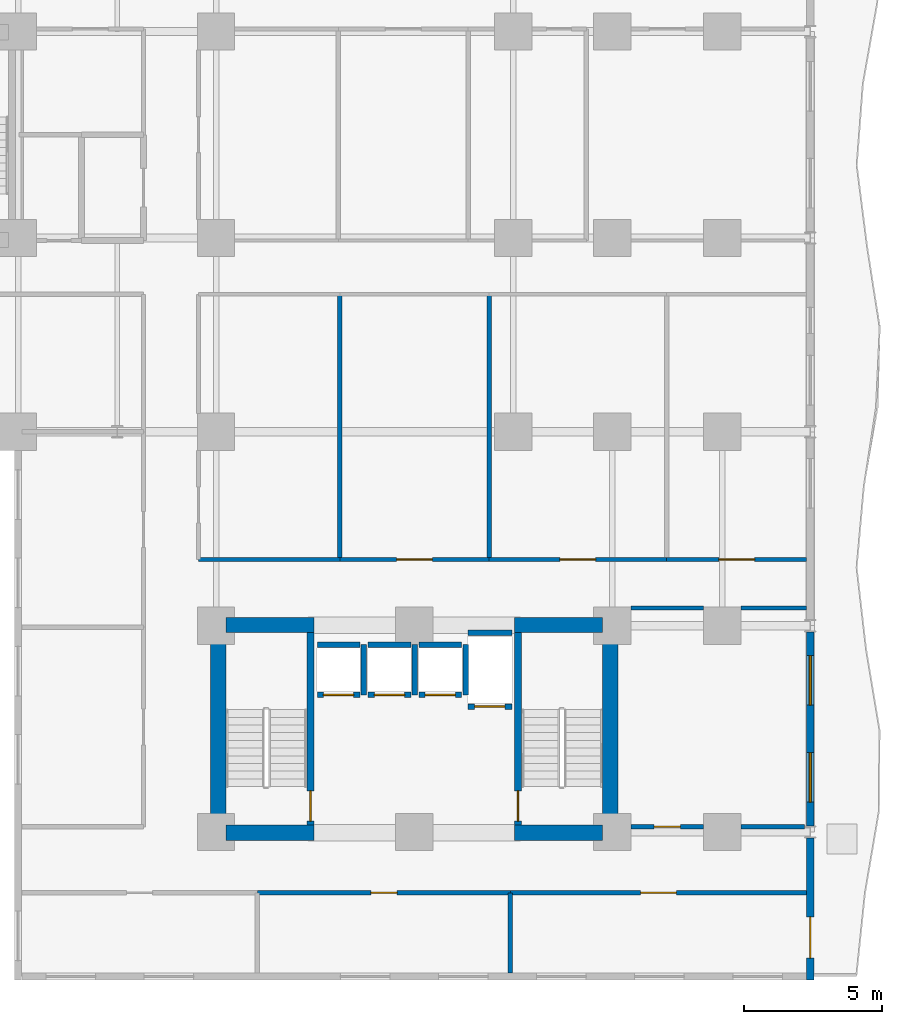
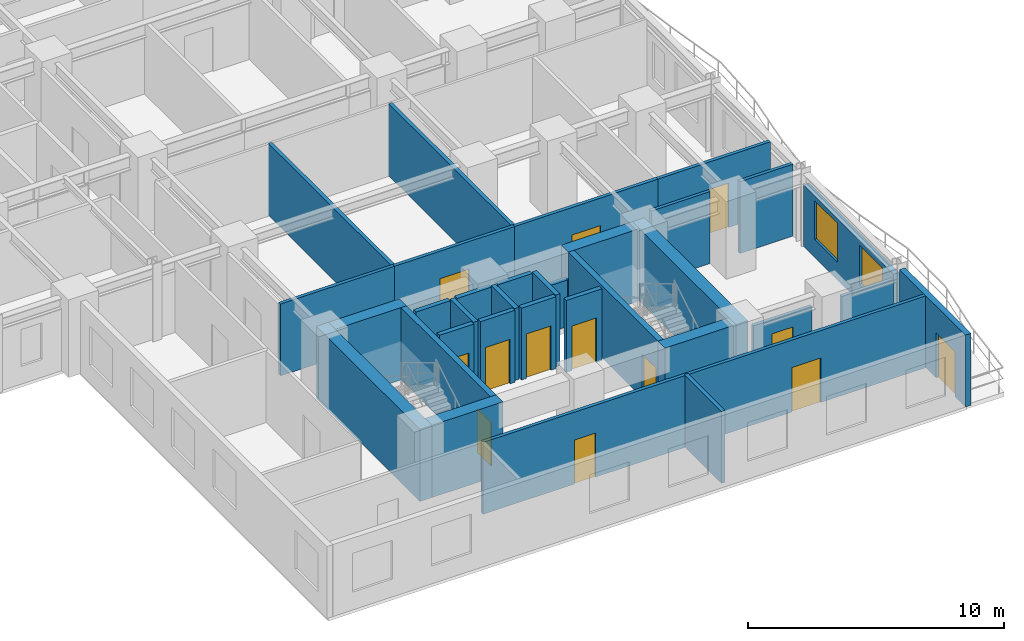
# One storey, part 5 of 11: 34 walls, 13 doors, 2 windows, 15 openings.
"""IFC4 building model written with IfcOpenShell, lengths in metres."""

from ifc_helpers import new_model, si_unit, direction, frame, frame_2d, origin, place, context, subcontext, project, spatial, rectangle, extrude, material, layer, layer_set, type_object, element, fill, save


model = new_model("IFC4")

# Units and contexts
model_context = context("Model", 3, precision=1e-05, world=origin(), true_north=direction((0.0, 1.0)))
body_context = subcontext(model_context, "Body", "Model", "MODEL_VIEW")
ifc_project = project(units=[si_unit("LENGTHUNIT", "METRE"), si_unit("AREAUNIT", "SQUARE_METRE"), si_unit("VOLUMEUNIT", "CUBIC_METRE"), si_unit("PLANEANGLEUNIT", "RADIAN"), si_unit("MASSUNIT", "GRAM", prefix="KILO")], contexts=[model_context])

# Site, building, storey
site_placement = place(None, origin())
site = spatial("IfcSite", under=ifc_project, at=site_placement, CompositionType="ELEMENT")
building_placement = place(site_placement, origin())
building = spatial("IfcBuilding", under=site, at=building_placement, Name="Kaliganga Portal Commons", CompositionType="ELEMENT")
storey_placement = place(building_placement, frame((0.0, 0.0, 40.10009765625)))
storey = spatial("IfcBuildingStorey", under=building, at=storey_placement, Name="L09", CompositionType="ELEMENT", Elevation=40.10009765625)

# Walls
ifc_material_1 = material(Name="Concrete C60/75", Category="concrete")
ifc_layer_1 = layer(ifc_material_1, 0.550048828125)
ifc_layer_set_1 = layer_set([ifc_layer_1], Name="Concrete C60/75")
wall_type_1 = type_object("IfcWallType", Name="WL-CORE-550", PredefinedType="SHEAR", material=ifc_layer_set_1)
for number, where, z_axis, x_axis, name in (
    (1, (36.074951171875, 6.75, 0.0), (0.0, 0.0, 1.0), (0.0, 1.0, 0.0), "Core B West Shear Wall L09"),
    (2, (50.324951171875, 6.75, 0.0), (0.0, 0.0, 1.0), (0.0, 1.0, 0.0), "Core B East Shear Wall L09"),
):
    element("IfcWall", number, at=place(storey_placement, frame(where, z_axis=z_axis, x_axis=x_axis)), inside=storey, type_object=wall_type_1, Name=name, PredefinedType="SHEAR", context=body_context, shape_type="SweptSolid", body=[
        extrude(rectangle(XDim=8.10009765625, YDim=0.550048828125, at=frame_2d((4.050048828125, 0.0))), origin(), (0.0, 0.0, 1.0), 3.449951171875),
    ])
for number, where, z_axis, x_axis, name in (
    (3, (36.35009765625, 7.02490234375, 0.0), (0.0, 0.0, 1.0), (1.0, 0.0, 0.0), "Core B S-West Shear Wall L09"),
    (4, (46.85009765625, 7.02490234375, 0.0), (0.0, 0.0, 1.0), (1.0, 0.0, 0.0), "Core B S-East Shear Wall L09"),
    (5, (36.35009765625, 14.574951171875, 0.0), (0.0, 0.0, 1.0), (1.0, 0.0, 0.0), "Core B N-West Shear Wall L09"),
    (6, (46.85009765625, 14.574951171875, 0.0), (0.0, 0.0, 1.0), (1.0, 0.0, 0.0), "Core B N-East Shear Wall L09"),
):
    element("IfcWall", number, at=place(storey_placement, frame(where, z_axis=z_axis, x_axis=x_axis)), inside=storey, type_object=wall_type_1, Name=name, PredefinedType="SHEAR", context=body_context, shape_type="SweptSolid", body=[
        extrude(rectangle(XDim=3.199951171875, YDim=0.550048828125, at=frame_2d((1.60009765625, 0.0))), origin(), (0.0, 0.0, 1.0), 3.449951171875),
    ])

# Wall, opening, door
ifc_material_2 = material(Name="Insulated Aluminium-Clad Spandrel Assembly", Category="aluminium")
ifc_layer_2 = layer(ifc_material_2, 0.260009765625)
ifc_layer_set_2 = layer_set([ifc_layer_2], Name="Insulated Aluminium-Clad Spandrel Assembly")
wall_type_2 = type_object("IfcWallType", Name="WL-EXT-SPAND-260", PredefinedType="STANDARD", material=ifc_layer_set_2)
wall_1_placement = place(storey_placement, frame((57.60009765625, 6.825927734375, 0.0), z_axis=(0.0, 0.0, 1.0), x_axis=(0.0, -1.0, 0.0)))
wall_1 = element("IfcWall", 7, at=wall_1_placement, inside=storey, type_object=wall_type_2, Name="Exterior Envelope Wall L09 P1-E01-S1", PredefinedType="STANDARD", context=body_context, shape_type="SweptSolid", body=[
    extrude(rectangle(XDim=5.156005859375, YDim=0.260009765625, at=frame_2d((2.578125, 0.0))), origin(), (0.0, 0.0, 1.0), 3.429931640625),
])
opening_1_placement = place(wall_1_placement, frame((2.85888671875, 0.0, 0.0)))
opening_1 = element("IfcOpeningElement", 8, at=opening_1_placement, cuts=wall_1, Name="Opening BD-01", PredefinedType="OPENING", context=body_context, shape_type="SweptSolid", body=[
    extrude(rectangle(XDim=1.5, YDim=2.14990234375, at=frame_2d((0.75, 1.074951171875))), frame((0.0, 0.14013671875, 0.0), z_axis=(0.0, -1.0, 0.0), x_axis=(1.0, 0.0, 0.0)), (0.0, 0.0, 1.0), 0.280029296875),
])
ifc_material_3 = material(Name="Anodized Aluminium and Laminated Safety Glass", Category="aluminium")
door_type_1 = type_object("IfcDoorType", Name="DR-BALC-1500", OperationType="SLIDING_TO_LEFT", PredefinedType="DOOR", material=ifc_material_3)
door_1_placement = place(opening_1_placement, origin())
door_1 = element("IfcDoor", 9, at=door_1_placement, inside=storey, type_object=door_type_1, Name="Balcony Sliding Door L09 balc_east", OperationType="SLIDING_TO_LEFT", OverallHeight=2.14990234375, OverallWidth=1.5, PredefinedType="DOOR", context=body_context, shape_type="SweptSolid", body=[
    extrude(rectangle(XDim=1.5, YDim=2.14990234375, at=frame_2d((0.75, 1.074951171875))), frame((0.0, 0.02490234375, 0.0), z_axis=(0.0, -1.0, 0.0), x_axis=(1.0, 0.0, 0.0)), (0.0, 0.0, 1.0), 0.050048828125),
])
fill(opening_1, door_1)

# Wall, openings, windows
wall_2_placement = place(storey_placement, frame((57.60009765625, 14.325927734375, 0.0), z_axis=(0.0, 0.0, 1.0), x_axis=(0.0, -1.0, 0.0)))
wall_2 = element("IfcWall", 10, at=wall_2_placement, inside=storey, type_object=wall_type_2, Name="Exterior Envelope Wall L09 P1-E01-S2", PredefinedType="STANDARD", context=body_context, shape_type="SweptSolid", body=[
    extrude(rectangle(XDim=7.052001953125, YDim=0.260009765625, at=frame_2d((3.52587890625, 0.0))), origin(), (0.0, 0.0, 1.0), 2.929931640625),
])
opening_2_placement = place(wall_2_placement, frame((0.863037109375, 0.0, 0.85009765625)))
opening_2 = element("IfcOpeningElement", 11, at=opening_2_placement, cuts=wall_2, Name="Opening W-01", PredefinedType="OPENING", context=body_context, shape_type="SweptSolid", body=[
    extrude(rectangle(XDim=1.800048828125, YDim=1.85009765625, at=frame_2d((0.89990234375, 0.925048828125))), frame((0.0, 0.14013671875, 0.0), z_axis=(0.0, -1.0, 0.0), x_axis=(1.0, 0.0, 0.0)), (0.0, 0.0, 1.0), 0.280029296875),
])
opening_3_placement = place(wall_2_placement, frame((4.388916015625, 0.0, 0.85009765625)))
opening_3 = element("IfcOpeningElement", 12, at=opening_3_placement, cuts=wall_2, Name="Opening W-01", PredefinedType="OPENING", context=body_context, shape_type="SweptSolid", body=[
    extrude(rectangle(XDim=1.800048828125, YDim=1.85009765625, at=frame_2d((0.89990234375, 0.925048828125))), frame((0.0, 0.14013671875, 0.0), z_axis=(0.0, -1.0, 0.0), x_axis=(1.0, 0.0, 0.0)), (0.0, 0.0, 1.0), 0.280029296875),
])
ifc_material_4 = material(Name="Thermally Broken Aluminium and Low-E Double Glazing", Category="aluminium")
window_type = type_object("IfcWindowType", Name="WIN-STD-1800", PartitioningType="DOUBLE_PANEL_VERTICAL", PredefinedType="WINDOW", material=ifc_material_4)
window_1_placement = place(opening_2_placement, origin())
window_1 = element("IfcWindow", 13, at=window_1_placement, inside=storey, type_object=window_type, Name="Facade Window L09-P1E01S2-00", OverallHeight=1.85009765625, OverallWidth=1.800048828125, PartitioningType="SINGLE_PANEL", PredefinedType="WINDOW", context=body_context, shape_type="SweptSolid", body=[
    extrude(rectangle(XDim=1.800048828125, YDim=1.85009765625, at=frame_2d((0.89990234375, 0.925048828125))), frame((0.0, 0.030029296875, 0.0), z_axis=(0.0, -1.0, 0.0), x_axis=(1.0, 0.0, 0.0)), (0.0, 0.0, 1.0), 0.06005859375),
])
fill(opening_2, window_1)
window_2_placement = place(opening_3_placement, origin())
window_2 = element("IfcWindow", 14, at=window_2_placement, inside=storey, type_object=window_type, Name="Facade Window L09-P1E01S2-01", OverallHeight=1.85009765625, OverallWidth=1.800048828125, PartitioningType="SINGLE_PANEL", PredefinedType="WINDOW", context=body_context, shape_type="SweptSolid", body=[
    extrude(rectangle(XDim=1.800048828125, YDim=1.85009765625, at=frame_2d((0.89990234375, 0.925048828125))), frame((0.0, 0.030029296875, 0.0), z_axis=(0.0, -1.0, 0.0), x_axis=(1.0, 0.0, 0.0)), (0.0, 0.0, 1.0), 0.06005859375),
])
fill(opening_3, window_2)

# Wall, opening, door
ifc_material_5 = material(Name="Fire-Rated Gypsum Board on Steel Stud", Category="steel")
ifc_layer_3 = layer(ifc_material_5, 0.14990234375)
ifc_layer_set_3 = layer_set([ifc_layer_3], Name="Fire-Rated Gypsum Board on Steel Stud")
wall_type_3 = type_object("IfcWallType", Name="WL-PART-CORR-150", PredefinedType="PARTITIONING", material=ifc_layer_set_3)
wall_3_placement = place(storey_placement, frame((46.699951171875, 4.840087890625, 0.0), z_axis=(0.0, 0.0, 1.0), x_axis=(1.0, 0.0, 0.0)))
wall_3 = element("IfcWall", 15, at=wall_3_placement, inside=storey, type_object=wall_type_3, Name="Interior Partition L09-008", PredefinedType="PARTITIONING", context=body_context, shape_type="SweptSolid", body=[
    extrude(rectangle(XDim=10.76806640625, YDim=0.14990234375, at=frame_2d((5.384033203125, 0.0))), origin(), (0.0, 0.0, 1.0), 3.429931640625),
])
opening_4_placement = place(wall_3_placement, frame((4.73388671875, 0.0, 0.0)))
opening_4 = element("IfcOpeningElement", 16, at=opening_4_placement, cuts=wall_3, Name="Opening RD-03", PredefinedType="OPENING", context=body_context, shape_type="SweptSolid", body=[
    extrude(rectangle(XDim=1.300048828125, YDim=2.1201171875, at=frame_2d((0.64990234375, 1.06005859375))), frame((0.0, 0.0849609375, 0.0), z_axis=(0.0, -1.0, 0.0), x_axis=(1.0, 0.0, 0.0)), (0.0, 0.0, 1.0), 0.169921875),
])
ifc_material_6 = material(Name="Glazed Timber Seminar Vision Door", Category="wood")
door_type_2 = type_object("IfcDoorType", Name="DR-STUDY-1300", OperationType="DOUBLE_DOOR_SINGLE_SWING", PredefinedType="DOOR", material=ifc_material_6)
door_2_placement = place(opening_4_placement, origin())
door_2 = element("IfcDoor", 17, at=door_2_placement, inside=storey, type_object=door_type_2, Name="Interior Door L09-BS03", OperationType="DOUBLE_DOOR_SINGLE_SWING", OverallHeight=2.1201171875, OverallWidth=1.300048828125, PredefinedType="DOOR", context=body_context, shape_type="SweptSolid", body=[
    extrude(rectangle(XDim=1.300048828125, YDim=2.1201171875, at=frame_2d((0.64990234375, 1.06005859375))), frame((0.0, 0.02490234375, 0.0), z_axis=(0.0, -1.0, 0.0), x_axis=(1.0, 0.0, 0.0)), (0.0, 0.0, 1.0), 0.050048828125),
])
fill(opening_4, door_2)

wall_4_placement = place(storey_placement, frame((37.5, 4.840087890625, 0.0), z_axis=(0.0, 0.0, 1.0), x_axis=(1.0, 0.0, 0.0)))
wall_4 = element("IfcWall", 18, at=wall_4_placement, inside=storey, type_object=wall_type_3, Name="Interior Partition L09-012", PredefinedType="PARTITIONING", context=body_context, shape_type="SweptSolid", body=[
    extrude(rectangle(XDim=9.199951171875, YDim=0.14990234375, at=frame_2d((4.60009765625, 0.0))), origin(), (0.0, 0.0, 1.0), 3.429931640625),
])
opening_5_placement = place(wall_4_placement, frame((4.125, 0.0, 0.0)))
opening_5 = element("IfcOpeningElement", 19, at=opening_5_placement, cuts=wall_4, Name="Opening UD-01", PredefinedType="OPENING", context=body_context, shape_type="SweptSolid", body=[
    extrude(rectangle(XDim=0.949951171875, YDim=2.10009765625, at=frame_2d((0.47509765625, 1.050048828125))), frame((0.0, 0.0849609375, 0.0), z_axis=(0.0, -1.0, 0.0), x_axis=(1.0, 0.0, 0.0)), (0.0, 0.0, 1.0), 0.169921875),
])
ifc_material_7 = material(Name="Solid-Core Timber Acoustic Fire Door", Category="wood")
door_type_3 = type_object("IfcDoorType", Name="DR-UNIT-950", OperationType="NOTDEFINED", PredefinedType="DOOR", material=ifc_material_7)
door_3_placement = place(opening_5_placement, origin())
door_3 = element("IfcDoor", 20, at=door_3_placement, inside=storey, type_object=door_type_3, Name="Interior Door L09-BS02", OperationType="SINGLE_SWING_RIGHT", OverallHeight=2.10009765625, OverallWidth=0.949951171875, PredefinedType="DOOR", context=body_context, shape_type="SweptSolid", body=[
    extrude(rectangle(XDim=0.949951171875, YDim=2.10009765625, at=frame_2d((0.47509765625, 1.050048828125))), frame((0.0, 0.02490234375, 0.0), z_axis=(0.0, -1.0, 0.0), x_axis=(1.0, 0.0, 0.0)), (0.0, 0.0, 1.0), 0.050048828125),
])
fill(opening_5, door_3)

wall_5_placement = place(storey_placement, frame((51.074951171875, 7.239990234375, 0.0), z_axis=(0.0, 0.0, 1.0), x_axis=(1.0, 0.0, 0.0)))
wall_5 = element("IfcWall", 21, at=wall_5_placement, inside=storey, type_object=wall_type_3, Name="Interior Partition L09-021", PredefinedType="PARTITIONING", context=body_context, shape_type="SweptSolid", body=[
    extrude(rectangle(XDim=2.650146484375, YDim=0.14990234375, at=frame_2d((1.3251953125, 0.0))), origin(), (0.0, 0.0, 1.0), 2.77978515625),
])
opening_6_placement = place(wall_5_placement, frame((0.85009765625, 0.0, 0.0)))
opening_6 = element("IfcOpeningElement", 22, at=opening_6_placement, cuts=wall_5, Name="Opening UD-01", PredefinedType="OPENING", context=body_context, shape_type="SweptSolid", body=[
    extrude(rectangle(XDim=0.949951171875, YDim=2.10009765625, at=frame_2d((0.47509765625, 1.050048828125))), frame((0.0, 0.0849609375, 0.0), z_axis=(0.0, -1.0, 0.0), x_axis=(1.0, 0.0, 0.0)), (0.0, 0.0, 1.0), 0.169921875),
])
door_4_placement = place(opening_6_placement, origin())
door_4 = element("IfcDoor", 23, at=door_4_placement, inside=storey, type_object=door_type_3, Name="Interior Door L09-BE01", OperationType="SINGLE_SWING_RIGHT", OverallHeight=2.10009765625, OverallWidth=0.949951171875, PredefinedType="DOOR", context=body_context, shape_type="SweptSolid", body=[
    extrude(rectangle(XDim=0.949951171875, YDim=2.10009765625, at=frame_2d((0.47509765625, 1.050048828125))), frame((0.0, 0.02490234375, 0.0), z_axis=(0.0, -1.0, 0.0), x_axis=(1.0, 0.0, 0.0)), (0.0, 0.0, 1.0), 0.050048828125),
])
fill(opening_6, door_4)

# Walls
wall_6_placement = place(storey_placement, frame((55.074951171875, 7.239990234375, 0.0), z_axis=(0.0, 0.0, 1.0), x_axis=(1.0, 0.0, 0.0)))
element("IfcWall", 24, at=wall_6_placement, inside=storey, type_object=wall_type_3, Name="Interior Partition L09-022", PredefinedType="PARTITIONING", context=body_context, shape_type="SweptSolid", body=[
    extrude(rectangle(XDim=2.317138671875, YDim=0.14990234375, at=frame_2d((1.15869140625, 0.0))), origin(), (0.0, 0.0, 1.0), 2.77978515625),
])
wall_7_placement = place(storey_placement, frame((51.074951171875, 15.199951171875, 0.0), z_axis=(0.0, 0.0, 1.0), x_axis=(1.0, 0.0, 0.0)))
element("IfcWall", 25, at=wall_7_placement, inside=storey, type_object=wall_type_3, Name="Interior Partition L09-023", PredefinedType="PARTITIONING", context=body_context, shape_type="SweptSolid", body=[
    extrude(rectangle(XDim=2.650146484375, YDim=0.14990234375, at=frame_2d((1.3251953125, 0.0))), origin(), (0.0, 0.0, 1.0), 3.429931640625),
])
wall_8_placement = place(storey_placement, frame((55.074951171875, 15.199951171875, 0.0), z_axis=(0.0, 0.0, 1.0), x_axis=(1.0, 0.0, 0.0)))
element("IfcWall", 26, at=wall_8_placement, inside=storey, type_object=wall_type_3, Name="Interior Partition L09-024", PredefinedType="PARTITIONING", context=body_context, shape_type="SweptSolid", body=[
    extrude(rectangle(XDim=2.39306640625, YDim=0.14990234375, at=frame_2d((1.196533203125, 0.0))), origin(), (0.0, 0.0, 1.0), 3.429931640625),
])

# Wall, opening, door
wall_9_placement = place(storey_placement, frame((45.919921875, 16.9599609375, 0.0), z_axis=(0.0, 0.0, 1.0), x_axis=(1.0, 0.0, 0.0)))
wall_9 = element("IfcWall", 27, at=wall_9_placement, inside=storey, type_object=wall_type_3, Name="Interior Partition L09-027", PredefinedType="PARTITIONING", context=body_context, shape_type="SweptSolid", body=[
    extrude(rectangle(XDim=6.4599609375, YDim=0.14990234375, at=frame_2d((3.22998046875, 0.0))), origin(), (0.0, 0.0, 1.0), 3.429931640625),
])
opening_7_placement = place(wall_9_placement, frame((2.580078125, 0.0, 0.0)))
opening_7 = element("IfcOpeningElement", 28, at=opening_7_placement, cuts=wall_9, Name="Opening RD-03", PredefinedType="OPENING", context=body_context, shape_type="SweptSolid", body=[
    extrude(rectangle(XDim=1.300048828125, YDim=2.1201171875, at=frame_2d((0.64990234375, 1.06005859375))), frame((0.0, 0.0849609375, 0.0), z_axis=(0.0, -1.0, 0.0), x_axis=(1.0, 0.0, 0.0)), (0.0, 0.0, 1.0), 0.169921875),
])
door_5_placement = place(opening_7_placement, origin())
door_5 = element("IfcDoor", 29, at=door_5_placement, inside=storey, type_object=door_type_2, Name="Interior Door L09-BM03", OperationType="DOUBLE_DOOR_SINGLE_SWING", OverallHeight=2.1201171875, OverallWidth=1.300048828125, PredefinedType="DOOR", context=body_context, shape_type="SweptSolid", body=[
    extrude(rectangle(XDim=1.300048828125, YDim=2.1201171875, at=frame_2d((0.64990234375, 1.06005859375))), frame((0.0, 0.02490234375, 0.0), z_axis=(0.0, -1.0, 0.0), x_axis=(1.0, 0.0, 0.0)), (0.0, 0.0, 1.0), 0.050048828125),
])
fill(opening_7, door_5)

wall_10_placement = place(storey_placement, frame((40.5, 16.9599609375, 0.0), z_axis=(0.0, 0.0, 1.0), x_axis=(1.0, 0.0, 0.0)))
wall_10 = element("IfcWall", 30, at=wall_10_placement, inside=storey, type_object=wall_type_3, Name="Interior Partition L09-029", PredefinedType="PARTITIONING", context=body_context, shape_type="SweptSolid", body=[
    extrude(rectangle(XDim=5.419921875, YDim=0.14990234375, at=frame_2d((2.7099609375, 0.0))), origin(), (0.0, 0.0, 1.0), 3.429931640625),
])
opening_8_placement = place(wall_10_placement, frame((2.06005859375, 0.0, 0.0)))
opening_8 = element("IfcOpeningElement", 31, at=opening_8_placement, cuts=wall_10, Name="Opening RD-03", PredefinedType="OPENING", context=body_context, shape_type="SweptSolid", body=[
    extrude(rectangle(XDim=1.300048828125, YDim=2.1201171875, at=frame_2d((0.64990234375, 1.06005859375))), frame((0.0, 0.0849609375, 0.0), z_axis=(0.0, -1.0, 0.0), x_axis=(1.0, 0.0, 0.0)), (0.0, 0.0, 1.0), 0.169921875),
])
door_6_placement = place(opening_8_placement, origin())
door_6 = element("IfcDoor", 32, at=door_6_placement, inside=storey, type_object=door_type_2, Name="Interior Door L09-BM02", OperationType="DOUBLE_DOOR_SINGLE_SWING", OverallHeight=2.1201171875, OverallWidth=1.300048828125, PredefinedType="DOOR", context=body_context, shape_type="SweptSolid", body=[
    extrude(rectangle(XDim=1.300048828125, YDim=2.1201171875, at=frame_2d((0.64990234375, 1.06005859375))), frame((0.0, 0.02490234375, 0.0), z_axis=(0.0, -1.0, 0.0), x_axis=(1.0, 0.0, 0.0)), (0.0, 0.0, 1.0), 0.050048828125),
])
fill(opening_8, door_6)

wall_11_placement = place(storey_placement, frame((52.3798828125, 16.9599609375, 0.0), z_axis=(0.0, 0.0, 1.0), x_axis=(1.0, 0.0, 0.0)))
wall_11 = element("IfcWall", 33, at=wall_11_placement, inside=storey, type_object=wall_type_3, Name="Interior Partition L09-030", PredefinedType="PARTITIONING", context=body_context, shape_type="SweptSolid", body=[
    extrude(rectangle(XDim=5.088134765625, YDim=0.14990234375, at=frame_2d((2.5439453125, 0.0))), origin(), (0.0, 0.0, 1.0), 3.429931640625),
])
opening_9_placement = place(wall_11_placement, frame((1.89404296875, 0.0, 0.0)))
opening_9 = element("IfcOpeningElement", 34, at=opening_9_placement, cuts=wall_11, Name="Opening RD-03", PredefinedType="OPENING", context=body_context, shape_type="SweptSolid", body=[
    extrude(rectangle(XDim=1.300048828125, YDim=2.1201171875, at=frame_2d((0.64990234375, 1.06005859375))), frame((0.0, 0.0849609375, 0.0), z_axis=(0.0, -1.0, 0.0), x_axis=(1.0, 0.0, 0.0)), (0.0, 0.0, 1.0), 0.169921875),
])
door_7_placement = place(opening_9_placement, origin())
door_7 = element("IfcDoor", 35, at=door_7_placement, inside=storey, type_object=door_type_2, Name="Interior Door L09-BM04", OperationType="DOUBLE_DOOR_SINGLE_SWING", OverallHeight=2.1201171875, OverallWidth=1.300048828125, PredefinedType="DOOR", context=body_context, shape_type="SweptSolid", body=[
    extrude(rectangle(XDim=1.300048828125, YDim=2.1201171875, at=frame_2d((0.64990234375, 1.06005859375))), frame((0.0, 0.02490234375, 0.0), z_axis=(0.0, -1.0, 0.0), x_axis=(1.0, 0.0, 0.0)), (0.0, 0.0, 1.0), 0.050048828125),
])
fill(opening_9, door_7)

# Walls
wall_12_placement = place(storey_placement, frame((35.360107421875, 16.9599609375, 0.0), z_axis=(0.0, 0.0, 1.0), x_axis=(1.0, 0.0, 0.0)))
element("IfcWall", 36, at=wall_12_placement, inside=storey, type_object=wall_type_3, Name="Interior Partition L09-032", PredefinedType="PARTITIONING", context=body_context, shape_type="SweptSolid", body=[
    extrude(rectangle(XDim=5.139892578125, YDim=0.14990234375, at=frame_2d((2.56982421875, 0.0))), origin(), (0.0, 0.0, 1.0), 3.429931640625),
])
ifc_material_8 = material(Name="Twin-Stud Acoustic Gypsum Partition", Category="gypsum")
ifc_layer_4 = layer(ifc_material_8, 0.1650390625)
ifc_layer_set_4 = layer_set([ifc_layer_4], Name="Twin-Stud Acoustic Gypsum Partition")
wall_type_4 = type_object("IfcWallType", Name="WL-PART-UNIT-165", PredefinedType="PARTITIONING", material=ifc_layer_set_4)
for number, where, z_axis, x_axis, name in (
    (37, (40.5, 16.9599609375, 0.0), (0.0, 0.0, 1.0), (0.0, 1.0, 0.0), "Interior Partition L09-059"),
    (38, (45.919921875, 16.9599609375, 0.0), (0.0, 0.0, 1.0), (0.0, 1.0, 0.0), "Interior Partition L09-060"),
):
    element("IfcWall", number, at=place(storey_placement, frame(where, z_axis=z_axis, x_axis=x_axis)), inside=storey, type_object=wall_type_4, Name=name, PredefinedType="PARTITIONING", context=body_context, shape_type="SweptSolid", body=[
        extrude(rectangle(XDim=9.64013671875, YDim=0.1650390625, at=frame_2d((4.820068359375, 0.0))), origin(), (0.0, 0.0, 1.0), 3.429931640625),
    ])
wall_13_placement = place(storey_placement, frame((46.699951171875, 1.931884765625, 0.0), z_axis=(0.0, 0.0, 1.0), x_axis=(0.0, 1.0, 0.0)))
element("IfcWall", 39, at=wall_13_placement, inside=storey, type_object=wall_type_4, Name="Interior Partition L09-091", PredefinedType="PARTITIONING", context=body_context, shape_type="SweptSolid", body=[
    extrude(rectangle(XDim=2.908203125, YDim=0.1650390625, at=frame_2d((1.4541015625, 0.0))), origin(), (0.0, 0.0, 1.0), 3.429931640625),
])

# Wall, opening, door
ifc_material_9 = material(Name="Fire-Rated Shaftwall Masonry Assembly", Category="masonry")
ifc_layer_5 = layer(ifc_material_9, 0.199951171875)
ifc_layer_set_5 = layer_set([ifc_layer_5], Name="Fire-Rated Shaftwall Masonry Assembly")
wall_type_5 = type_object("IfcWallType", Name="WL-SHAFT-200", PredefinedType="PARTITIONING", material=ifc_layer_set_5)
wall_14_placement = place(storey_placement, frame((39.675048828125, 12.034912109375, 0.0), z_axis=(0.0, 0.0, 1.0), x_axis=(1.0, 0.0, 0.0)))
wall_14 = element("IfcWall", 40, at=wall_14_placement, inside=storey, type_object=wall_type_5, Name="Lift PL-B1 Hoistway Shaft Wall L09-S", PredefinedType="PARTITIONING", context=body_context, shape_type="SweptSolid", body=[
    extrude(rectangle(XDim=1.550048828125, YDim=0.199951171875, at=frame_2d((0.77490234375, 0.0))), origin(), (0.0, 0.0, 1.0), 3.429931640625),
])
opening_10_placement = place(wall_14_placement, frame((0.22509765625, 0.0, 0.0)))
opening_10 = element("IfcOpeningElement", 41, at=opening_10_placement, cuts=wall_14, Name="Opening LD-01", PredefinedType="OPENING", context=body_context, shape_type="SweptSolid", body=[
    extrude(rectangle(XDim=1.10009765625, YDim=2.1201171875, at=frame_2d((0.550048828125, 1.06005859375))), frame((0.0, 0.10986328125, 0.0), z_axis=(0.0, -1.0, 0.0), x_axis=(1.0, 0.0, 0.0)), (0.0, 0.0, 1.0), 0.219970703125),
])
ifc_material_10 = material(Name="Brushed Stainless Steel 316 Lift Landing Door", Category="steel")
door_type_4 = type_object("IfcDoorType", Name="DR-LIFT-1100", OperationType="SLIDING_TO_LEFT", PredefinedType="DOOR", material=ifc_material_10)
door_8_placement = place(opening_10_placement, origin())
door_8 = element("IfcDoor", 42, at=door_8_placement, inside=storey, type_object=door_type_4, Name="Lift PL-B1 Sliding Landing Door L09", OperationType="SLIDING_TO_LEFT", OverallHeight=2.1201171875, OverallWidth=1.10009765625, PredefinedType="DOOR", context=body_context, shape_type="SweptSolid", body=[
    extrude(rectangle(XDim=1.10009765625, YDim=2.1201171875, at=frame_2d((0.550048828125, 1.06005859375))), frame((0.0, 0.02490234375, 0.0), z_axis=(0.0, -1.0, 0.0), x_axis=(1.0, 0.0, 0.0)), (0.0, 0.0, 1.0), 0.050048828125),
])
fill(opening_10, door_8)

# Walls
wall_15_placement = place(storey_placement, frame((39.675048828125, 13.864990234375, 0.0), z_axis=(0.0, 0.0, 1.0), x_axis=(1.0, 0.0, 0.0)))
element("IfcWall", 43, at=wall_15_placement, inside=storey, type_object=wall_type_5, Name="Lift PL-B1 Hoistway Shaft Wall L09-N", PredefinedType="PARTITIONING", context=body_context, shape_type="SweptSolid", body=[
    extrude(rectangle(XDim=1.550048828125, YDim=0.199951171875, at=frame_2d((0.77490234375, 0.0))), origin(), (0.0, 0.0, 1.0), 3.429931640625),
])
wall_16_placement = place(storey_placement, frame((41.364990234375, 12.034912109375, 0.0), z_axis=(0.0, 0.0, 1.0), x_axis=(0.0, 1.0, 0.0)))
element("IfcWall", 44, at=wall_16_placement, inside=storey, type_object=wall_type_5, Name="Lift PL-B1 Hoistway Shaft Wall L09-E", PredefinedType="PARTITIONING", context=body_context, shape_type="SweptSolid", body=[
    extrude(rectangle(XDim=1.830078125, YDim=0.199951171875, at=frame_2d((0.9150390625, 0.0))), origin(), (0.0, 0.0, 1.0), 3.429931640625),
])

# Wall, opening, door
wall_17_placement = place(storey_placement, frame((41.52490234375, 12.034912109375, 0.0), z_axis=(0.0, 0.0, 1.0), x_axis=(1.0, 0.0, 0.0)))
wall_17 = element("IfcWall", 45, at=wall_17_placement, inside=storey, type_object=wall_type_5, Name="Lift PL-B2 Hoistway Shaft Wall L09-S", PredefinedType="PARTITIONING", context=body_context, shape_type="SweptSolid", body=[
    extrude(rectangle(XDim=1.550048828125, YDim=0.199951171875, at=frame_2d((0.77490234375, 0.0))), origin(), (0.0, 0.0, 1.0), 3.429931640625),
])
opening_11_placement = place(wall_17_placement, frame((0.22509765625, 0.0, 0.0)))
opening_11 = element("IfcOpeningElement", 46, at=opening_11_placement, cuts=wall_17, Name="Opening LD-01", PredefinedType="OPENING", context=body_context, shape_type="SweptSolid", body=[
    extrude(rectangle(XDim=1.10009765625, YDim=2.1201171875, at=frame_2d((0.550048828125, 1.06005859375))), frame((0.0, 0.10986328125, 0.0), z_axis=(0.0, -1.0, 0.0), x_axis=(1.0, 0.0, 0.0)), (0.0, 0.0, 1.0), 0.219970703125),
])
door_9_placement = place(opening_11_placement, origin())
door_9 = element("IfcDoor", 47, at=door_9_placement, inside=storey, type_object=door_type_4, Name="Lift PL-B2 Sliding Landing Door L09", OperationType="SLIDING_TO_LEFT", OverallHeight=2.1201171875, OverallWidth=1.10009765625, PredefinedType="DOOR", context=body_context, shape_type="SweptSolid", body=[
    extrude(rectangle(XDim=1.10009765625, YDim=2.1201171875, at=frame_2d((0.550048828125, 1.06005859375))), frame((0.0, 0.02490234375, 0.0), z_axis=(0.0, -1.0, 0.0), x_axis=(1.0, 0.0, 0.0)), (0.0, 0.0, 1.0), 0.050048828125),
])
fill(opening_11, door_9)

# Walls
wall_18_placement = place(storey_placement, frame((41.52490234375, 13.864990234375, 0.0), z_axis=(0.0, 0.0, 1.0), x_axis=(1.0, 0.0, 0.0)))
element("IfcWall", 48, at=wall_18_placement, inside=storey, type_object=wall_type_5, Name="Lift PL-B2 Hoistway Shaft Wall L09-N", PredefinedType="PARTITIONING", context=body_context, shape_type="SweptSolid", body=[
    extrude(rectangle(XDim=1.550048828125, YDim=0.199951171875, at=frame_2d((0.77490234375, 0.0))), origin(), (0.0, 0.0, 1.0), 3.429931640625),
])
wall_19_placement = place(storey_placement, frame((43.215087890625, 12.034912109375, 0.0), z_axis=(0.0, 0.0, 1.0), x_axis=(0.0, 1.0, 0.0)))
element("IfcWall", 49, at=wall_19_placement, inside=storey, type_object=wall_type_5, Name="Lift PL-B2 Hoistway Shaft Wall L09-E", PredefinedType="PARTITIONING", context=body_context, shape_type="SweptSolid", body=[
    extrude(rectangle(XDim=1.830078125, YDim=0.199951171875, at=frame_2d((0.9150390625, 0.0))), origin(), (0.0, 0.0, 1.0), 3.429931640625),
])

# Wall, opening, door
wall_20_placement = place(storey_placement, frame((43.375, 12.034912109375, 0.0), z_axis=(0.0, 0.0, 1.0), x_axis=(1.0, 0.0, 0.0)))
wall_20 = element("IfcWall", 50, at=wall_20_placement, inside=storey, type_object=wall_type_5, Name="Lift SH-2 Hoistway Shaft Wall L09-S", PredefinedType="PARTITIONING", context=body_context, shape_type="SweptSolid", body=[
    extrude(rectangle(XDim=1.550048828125, YDim=0.199951171875, at=frame_2d((0.77490234375, 0.0))), origin(), (0.0, 0.0, 1.0), 3.429931640625),
])
opening_12_placement = place(wall_20_placement, frame((0.22509765625, 0.0, 0.0)))
opening_12 = element("IfcOpeningElement", 51, at=opening_12_placement, cuts=wall_20, Name="Opening LD-01", PredefinedType="OPENING", context=body_context, shape_type="SweptSolid", body=[
    extrude(rectangle(XDim=1.10009765625, YDim=2.1201171875, at=frame_2d((0.550048828125, 1.06005859375))), frame((0.0, 0.10986328125, 0.0), z_axis=(0.0, -1.0, 0.0), x_axis=(1.0, 0.0, 0.0)), (0.0, 0.0, 1.0), 0.219970703125),
])
door_10_placement = place(opening_12_placement, origin())
door_10 = element("IfcDoor", 52, at=door_10_placement, inside=storey, type_object=door_type_4, Name="Lift SH-2 Sliding Landing Door L09", OperationType="SLIDING_TO_LEFT", OverallHeight=2.1201171875, OverallWidth=1.10009765625, PredefinedType="DOOR", context=body_context, shape_type="SweptSolid", body=[
    extrude(rectangle(XDim=1.10009765625, YDim=2.1201171875, at=frame_2d((0.550048828125, 1.06005859375))), frame((0.0, 0.02490234375, 0.0), z_axis=(0.0, -1.0, 0.0), x_axis=(1.0, 0.0, 0.0)), (0.0, 0.0, 1.0), 0.050048828125),
])
fill(opening_12, door_10)

# Walls
wall_21_placement = place(storey_placement, frame((43.375, 13.864990234375, 0.0), z_axis=(0.0, 0.0, 1.0), x_axis=(1.0, 0.0, 0.0)))
element("IfcWall", 53, at=wall_21_placement, inside=storey, type_object=wall_type_5, Name="Lift SH-2 Hoistway Shaft Wall L09-N", PredefinedType="PARTITIONING", context=body_context, shape_type="SweptSolid", body=[
    extrude(rectangle(XDim=1.550048828125, YDim=0.199951171875, at=frame_2d((0.77490234375, 0.0))), origin(), (0.0, 0.0, 1.0), 3.429931640625),
])
wall_22_placement = place(storey_placement, frame((45.06494140625, 12.034912109375, 0.0), z_axis=(0.0, 0.0, 1.0), x_axis=(0.0, 1.0, 0.0)))
element("IfcWall", 54, at=wall_22_placement, inside=storey, type_object=wall_type_5, Name="Lift SH-2 Hoistway Shaft Wall L09-E", PredefinedType="PARTITIONING", context=body_context, shape_type="SweptSolid", body=[
    extrude(rectangle(XDim=1.830078125, YDim=0.199951171875, at=frame_2d((0.9150390625, 0.0))), origin(), (0.0, 0.0, 1.0), 3.429931640625),
])

# Wall, opening, door
wall_23_placement = place(storey_placement, frame((45.14990234375, 11.610107421875, 0.0), z_axis=(0.0, 0.0, 1.0), x_axis=(1.0, 0.0, 0.0)))
wall_23 = element("IfcWall", 55, at=wall_23_placement, inside=storey, type_object=wall_type_5, Name="Lift SL-B1 Hoistway Shaft Wall L09-S", PredefinedType="PARTITIONING", context=body_context, shape_type="SweptSolid", body=[
    extrude(rectangle(XDim=1.60009765625, YDim=0.199951171875, at=frame_2d((0.800048828125, 0.0))), origin(), (0.0, 0.0, 1.0), 3.429931640625),
])
opening_13_placement = place(wall_23_placement, frame((0.25, 0.0, 0.0)))
opening_13 = element("IfcOpeningElement", 56, at=opening_13_placement, cuts=wall_23, Name="Opening LD-01", PredefinedType="OPENING", context=body_context, shape_type="SweptSolid", body=[
    extrude(rectangle(XDim=1.10009765625, YDim=2.1201171875, at=frame_2d((0.550048828125, 1.06005859375))), frame((0.0, 0.10986328125, 0.0), z_axis=(0.0, -1.0, 0.0), x_axis=(1.0, 0.0, 0.0)), (0.0, 0.0, 1.0), 0.219970703125),
])
door_11_placement = place(opening_13_placement, origin())
door_11 = element("IfcDoor", 57, at=door_11_placement, inside=storey, type_object=door_type_4, Name="Lift SL-B1 Sliding Landing Door L09", OperationType="SLIDING_TO_LEFT", OverallHeight=2.1201171875, OverallWidth=1.10009765625, PredefinedType="DOOR", context=body_context, shape_type="SweptSolid", body=[
    extrude(rectangle(XDim=1.10009765625, YDim=2.1201171875, at=frame_2d((0.550048828125, 1.06005859375))), frame((0.0, 0.02490234375, 0.0), z_axis=(0.0, -1.0, 0.0), x_axis=(1.0, 0.0, 0.0)), (0.0, 0.0, 1.0), 0.050048828125),
])
fill(opening_13, door_11)

# Wall
wall_24_placement = place(storey_placement, frame((45.14990234375, 14.2900390625, 0.0), z_axis=(0.0, 0.0, 1.0), x_axis=(1.0, 0.0, 0.0)))
element("IfcWall", 58, at=wall_24_placement, inside=storey, type_object=wall_type_5, Name="Lift SL-B1 Hoistway Shaft Wall L09-N", PredefinedType="PARTITIONING", context=body_context, shape_type="SweptSolid", body=[
    extrude(rectangle(XDim=1.60009765625, YDim=0.199951171875, at=frame_2d((0.800048828125, 0.0))), origin(), (0.0, 0.0, 1.0), 2.22998046875),
])

# Wall, opening, door
ifc_material_11 = material(Name="Concrete C50/60", Category="concrete")
ifc_layer_6 = layer(ifc_material_11, 0.25)
ifc_layer_set_6 = layer_set([ifc_layer_6], Name="Concrete C50/60")
wall_type_6 = type_object("IfcWallType", Name="WL-STAIR-250", PredefinedType="SHEAR", material=ifc_layer_set_6)
wall_25_placement = place(storey_placement, frame((39.425048828125, 7.300048828125, 0.0), z_axis=(0.0, 0.0, 1.0), x_axis=(0.0, 1.0, 0.0)))
wall_25 = element("IfcWall", 59, at=wall_25_placement, inside=storey, type_object=wall_type_6, Name="Stair B1 Enclosure Shear Wall L09", PredefinedType="SHEAR", context=body_context, shape_type="SweptSolid", body=[
    extrude(rectangle(XDim=7.0, YDim=0.25, at=frame_2d((3.5, 0.0))), origin(), (0.0, 0.0, 1.0), 3.449951171875),
])
opening_14_placement = place(wall_25_placement, frame((0.14990234375, 0.0, 0.0)))
opening_14 = element("IfcOpeningElement", 60, at=opening_14_placement, cuts=wall_25, Name="Opening SD-01", PredefinedType="OPENING", context=body_context, shape_type="SweptSolid", body=[
    extrude(rectangle(XDim=1.10009765625, YDim=2.080078125, at=frame_2d((0.550048828125, 1.0400390625))), frame((0.0, 0.135009765625, 0.0), z_axis=(0.0, -1.0, 0.0), x_axis=(1.0, 0.0, 0.0)), (0.0, 0.0, 1.0), 0.27001953125),
])
ifc_material_12 = material(Name="Galvanized Steel Fire Door Leaf and Frame", Category="steel")
door_type_5 = type_object("IfcDoorType", Name="DR-STAIR-1100", OperationType="NOTDEFINED", PredefinedType="DOOR", material=ifc_material_12)
door_12_placement = place(opening_14_placement, origin())
door_12 = element("IfcDoor", 61, at=door_12_placement, inside=storey, type_object=door_type_5, Name="Protected Stair ST-B1 Fire Door L09", OperationType="SINGLE_SWING_LEFT", OverallHeight=2.080078125, OverallWidth=1.10009765625, PredefinedType="DOOR", context=body_context, shape_type="SweptSolid", body=[
    extrude(rectangle(XDim=1.10009765625, YDim=2.080078125, at=frame_2d((0.550048828125, 1.0400390625))), frame((0.0, 0.02490234375, 0.0), z_axis=(0.0, -1.0, 0.0), x_axis=(1.0, 0.0, 0.0)), (0.0, 0.0, 1.0), 0.050048828125),
])
fill(opening_14, door_12)

wall_26_placement = place(storey_placement, frame((46.97509765625, 7.300048828125, 0.0), z_axis=(0.0, 0.0, 1.0), x_axis=(0.0, 1.0, 0.0)))
wall_26 = element("IfcWall", 62, at=wall_26_placement, inside=storey, type_object=wall_type_6, Name="Stair B2 Enclosure Shear Wall L09", PredefinedType="SHEAR", context=body_context, shape_type="SweptSolid", body=[
    extrude(rectangle(XDim=7.0, YDim=0.25, at=frame_2d((3.5, 0.0))), origin(), (0.0, 0.0, 1.0), 3.449951171875),
])
opening_15_placement = place(wall_26_placement, frame((0.14990234375, 0.0, 0.0)))
opening_15 = element("IfcOpeningElement", 63, at=opening_15_placement, cuts=wall_26, Name="Opening SD-01", PredefinedType="OPENING", context=body_context, shape_type="SweptSolid", body=[
    extrude(rectangle(XDim=1.10009765625, YDim=2.080078125, at=frame_2d((0.550048828125, 1.0400390625))), frame((0.0, 0.135009765625, 0.0), z_axis=(0.0, -1.0, 0.0), x_axis=(1.0, 0.0, 0.0)), (0.0, 0.0, 1.0), 0.27001953125),
])
door_13_placement = place(opening_15_placement, origin())
door_13 = element("IfcDoor", 64, at=door_13_placement, inside=storey, type_object=door_type_5, Name="Protected Stair ST-B2 Fire Door L09", OperationType="SINGLE_SWING_RIGHT", OverallHeight=2.080078125, OverallWidth=1.10009765625, PredefinedType="DOOR", context=body_context, shape_type="SweptSolid", body=[
    extrude(rectangle(XDim=1.10009765625, YDim=2.080078125, at=frame_2d((0.550048828125, 1.0400390625))), frame((0.0, 0.02490234375, 0.0), z_axis=(0.0, -1.0, 0.0), x_axis=(1.0, 0.0, 0.0)), (0.0, 0.0, 1.0), 0.050048828125),
])
fill(opening_15, door_13)

save(model, "model.ifc")
